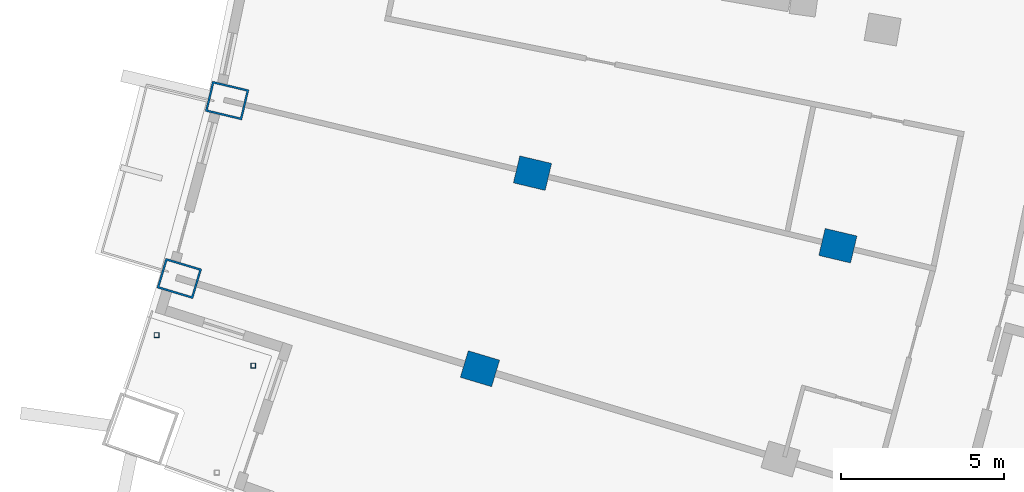
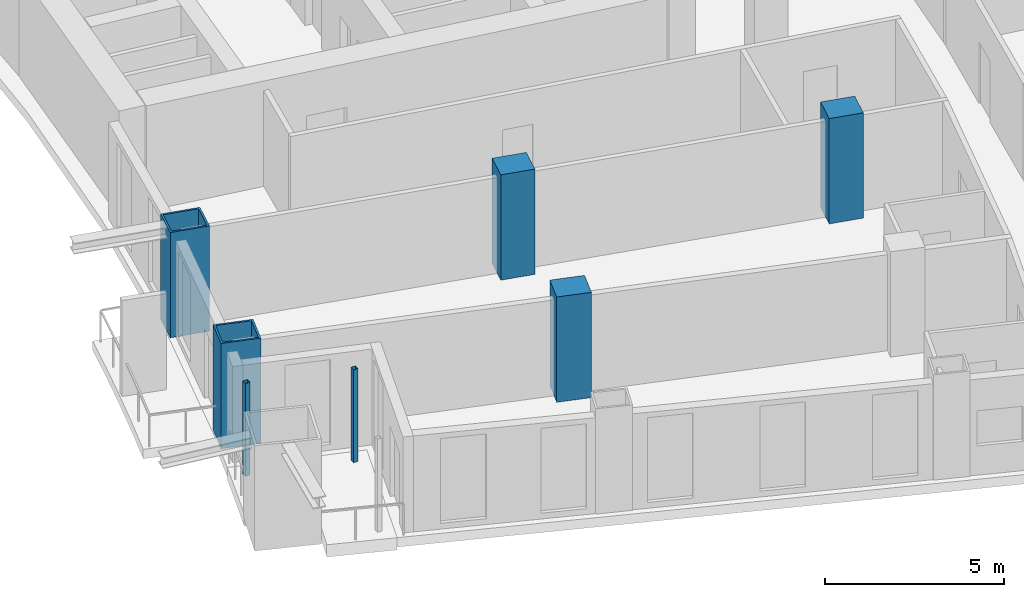
# One storey, part 3 of 25: 7 columns.
"""IFC4 building model written with IfcOpenShell, lengths in metres."""

from ifc_helpers import new_model, si_unit, direction, frame, origin, origin_2d, place, context, subcontext, project, spatial, rectangle, hollow_rectangle, extrude, material, material_profile, profile_set, type_object, element, save


model = new_model("IFC4")

# Units and contexts
model_context = context("Model", 3, precision=1e-05, world=origin(), true_north=direction((0.0, 1.0)))
body_context = subcontext(model_context, "Body", "Model", "MODEL_VIEW")
ifc_project = project(units=[si_unit("LENGTHUNIT", "METRE"), si_unit("AREAUNIT", "SQUARE_METRE"), si_unit("VOLUMEUNIT", "CUBIC_METRE"), si_unit("PLANEANGLEUNIT", "RADIAN"), si_unit("MASSUNIT", "GRAM", prefix="KILO")], contexts=[model_context])

# Site, building, storey
site_placement = place(None, origin())
site = spatial("IfcSite", under=ifc_project, at=site_placement, CompositionType="ELEMENT")
building_placement = place(site_placement, origin())
building = spatial("IfcBuilding", under=site, at=building_placement, Name="Alderwake Tower", CompositionType="ELEMENT")
storey_placement = place(building_placement, frame((0.0, 0.0, 122.0)))
storey = spatial("IfcBuildingStorey", under=building, at=storey_placement, Name="L30", CompositionType="ELEMENT", Elevation=122.0)

# Columns
ifc_material_1 = material(Name="Concrete C70/85", Category="concrete")
ifc_material_profile_1 = material_profile(ifc_material_1, rectangle(XDim=0.85009765625, YDim=1.0, at=origin_2d()), Name="RC 1000X850")
ifc_profile_set_1 = profile_set([ifc_material_profile_1], Name="Concrete C70/85")
column_type_1 = type_object("IfcColumnType", Name="Interior column Z2", PredefinedType="COLUMN", material=ifc_profile_set_1)
for number, where, z_axis, x_axis, name in (
    (1, (21.714599609375, 30.46240234375, 0.0), (0.0, 0.0, 1.0), (0.287549418125, 0.957765802342, 0.0), "Column R02-C1"),
    (2, (23.322021484375, 36.444091796875, 0.0), (0.0, 0.0, 1.0), (0.231221547198, 0.972901123502, 0.0), "Column R03-C1"),
    (3, (32.661865234375, 34.224609375, 0.0), (0.0, 0.0, 1.0), (0.231221547198, 0.972901123502, 0.0), "Column R03-C2"),
):
    element("IfcColumn", number, at=place(storey_placement, frame(where, z_axis=z_axis, x_axis=x_axis)), inside=storey, type_object=column_type_1, Name=name, PredefinedType="COLUMN", context=body_context, shape_type="SweptSolid", body=[
        extrude(rectangle(XDim=0.85009765625, YDim=1.0, at=origin_2d()), origin(), (0.0, 0.0, 1.0), 3.60009765625),
    ])
ifc_material_2 = material(Name="Steel ASTM A500 Grade C", Category="steel")
ifc_material_profile_2 = material_profile(ifc_material_2, hollow_rectangle(XDim=0.15234375, YDim=0.15234375, WallThickness=0.0087890625, at=origin_2d()), Name="HSS6X6X3/8")
ifc_profile_set_2 = profile_set([ifc_material_profile_2], Name="Steel ASTM A500 Grade C")
column_type_2 = type_object("IfcColumnType", Name="Light post HSS6X6X3/8", PredefinedType="COLUMN", material=ifc_profile_set_2)
for number, where, z_axis, x_axis, name in (
    (4, (11.82568359375, 31.492919921875, 0.0), (0.0, 0.0, 1.0), (1.0, 0.0, 0.0), "Terrace post RS1"),
    (5, (14.781494140625, 30.558349609375, 0.0), (0.0, 0.0, 1.0), (1.0, 0.0, 0.0), "Terrace post RS3"),
):
    element("IfcColumn", number, at=place(storey_placement, frame(where, z_axis=z_axis, x_axis=x_axis)), inside=storey, type_object=column_type_2, Name=name, PredefinedType="COLUMN", context=body_context, shape_type="SweptSolid", body=[
        extrude(hollow_rectangle(XDim=0.15234375, YDim=0.15234375, WallThickness=0.0087890625, at=origin_2d()), origin(), (0.0, 0.0, 1.0), 3.179931640625),
    ])
ifc_material_3 = material(Name="Steel ASTM A572 Grade 50 concrete filled C70/85", Category="concrete")
ifc_material_profile_3 = material_profile(ifc_material_3, hollow_rectangle(XDim=0.949951171875, YDim=1.14990234375, WallThickness=0.06005859375, at=origin_2d()), Name="BOX 1150X950X60")
ifc_profile_set_3 = profile_set([ifc_material_profile_3], Name="Steel ASTM A572 Grade 50 concrete filled C70/85")
column_type_3 = type_object("IfcColumnType", Name="Perimeter column Z2", PredefinedType="COLUMN", material=ifc_profile_set_3)
for number, where, z_axis, x_axis, name in (
    (6, (12.520263671875, 33.222900390625, 0.0), (0.0, 0.0, 1.0), (0.287549418125, 0.957765802342, 0.0), "Column R02-C0"),
    (7, (13.982177734375, 38.6640625, 0.0), (0.0, 0.0, 1.0), (0.231221547198, 0.972901123502, 0.0), "Column R03-C0"),
):
    element("IfcColumn", number, at=place(storey_placement, frame(where, z_axis=z_axis, x_axis=x_axis)), inside=storey, type_object=column_type_3, Name=name, PredefinedType="COLUMN", context=body_context, shape_type="SweptSolid", body=[
        extrude(hollow_rectangle(XDim=0.949951171875, YDim=1.14990234375, WallThickness=0.06005859375, at=origin_2d()), origin(), (0.0, 0.0, 1.0), 3.60009765625),
    ])

save(model, "model.ifc")
